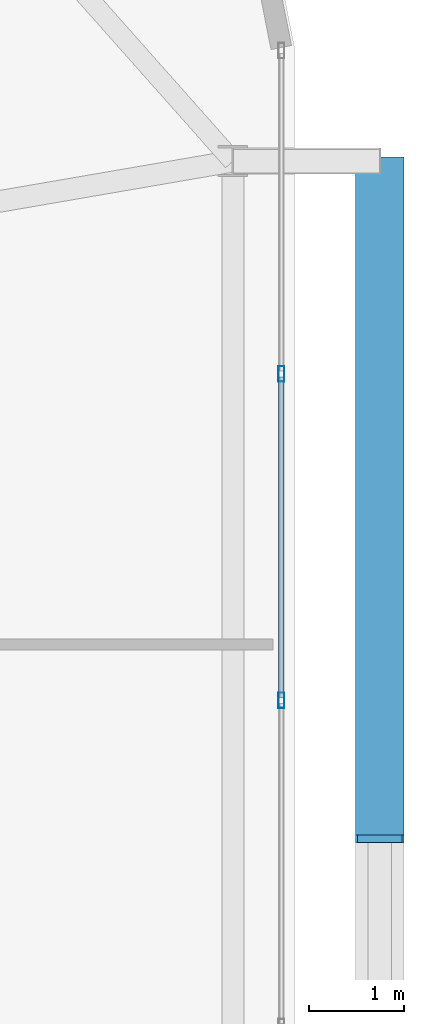
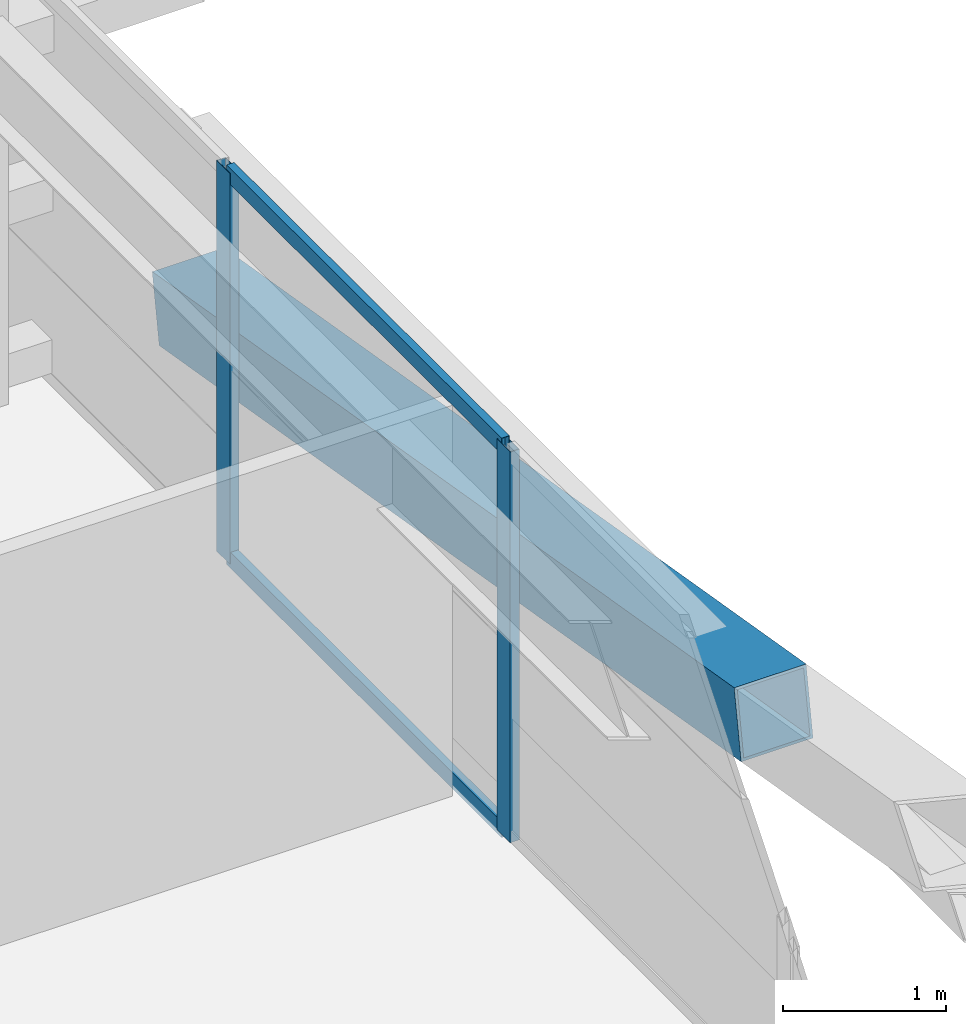
# One storey, part 32 of 59: 5 members, 1 element without a shape of its own.
"""IFC4 building model written with IfcOpenShell, lengths in metres."""

from ifc_helpers import new_model, si_unit, direction, frame, origin, origin_2d, place, context, subcontext, project, spatial, hollow_rectangle, extrude, source, transform, mapped, material, layer, layer_set, material_profile, profile_set, type_object, element, aggregate, save


model = new_model("IFC4")

# Units and contexts
model_context = context("Model", 3, precision=1e-05, world=origin(), true_north=direction((0.0, 1.0)))
body_context = subcontext(model_context, "Body", "Model", "MODEL_VIEW")
ifc_project = project(units=[si_unit("LENGTHUNIT", "METRE"), si_unit("AREAUNIT", "SQUARE_METRE"), si_unit("VOLUMEUNIT", "CUBIC_METRE"), si_unit("PLANEANGLEUNIT", "RADIAN"), si_unit("MASSUNIT", "GRAM", prefix="KILO")], contexts=[model_context])

# Site, building, storey
site_placement = place(None, origin())
site = spatial("IfcSite", under=ifc_project, at=site_placement, CompositionType="ELEMENT")
building_placement = place(site_placement, origin())
building = spatial("IfcBuilding", under=site, at=building_placement, Name="Taldren Reach Tower", CompositionType="ELEMENT")
storey_placement = place(building_placement, frame((0.0, 0.0, 29.39990234375)))
storey = spatial("IfcBuildingStorey", under=building, at=storey_placement, Name="L08", CompositionType="ELEMENT", Elevation=29.39990234375)

# Member
ifc_material_1 = material(Name="Steel Gr 450 (C450L0)", Category="steel")
ifc_material_profile_1 = material_profile(ifc_material_1, hollow_rectangle(XDim=0.510009765625, YDim=0.510009765625, WallThickness=0.02001953125, at=origin_2d()), Name="510x510x20.0SHS")
ifc_profile_set_1 = profile_set([ifc_material_profile_1], Name="Steel Gr 450 (C450L0)")
member_type_1 = type_object("IfcMemberType", Name="MB-EXO508", PredefinedType="BRACE", material=ifc_profile_set_1)
shared_shape_1 = source(origin(), body_context, "Body", "SweptSolid", [
    extrude(hollow_rectangle(XDim=0.510009765625, YDim=0.510009765625, WallThickness=0.02001953125, at=origin_2d()), origin(), (0.0, 0.0, 1.0), 7.252685546875),
])
member_1_placement = place(storey_placement, frame((65.89990234375, 34.300048828125, 0.22021484375), z_axis=(0.0, -0.985871360071, 0.167504213054), x_axis=(1.0, 0.0, 0.0)))
element("IfcMember", 1, at=member_1_placement, inside=storey, type_object=member_type_1, Name="Exoskeleton Diagrid Brace B1-E2 L08", PredefinedType="BRACE", context=body_context, shape_type="MappedRepresentation", body=[
    mapped(shared_shape_1, transform((0.0, 0.0, 0.0), scale=1.0)),
])

# Curtain wall, members
ifc_material_2 = material(Name="Aluminium and Low-E Glass Unitised System", Category="aluminium")
ifc_layer = layer(ifc_material_2, 0.159912109375)
ifc_layer_set = layer_set([ifc_layer], Name="Aluminium and Low-E Glass Unitised System")
curtain_wall_type = type_object("IfcCurtainWallType", Name="CW-SYS-2", PredefinedType="NOTDEFINED", material=ifc_layer_set)
curtain_wall_placement = place(storey_placement, origin())
curtain_wall = element("IfcCurtainWall", 2, at=curtain_wall_placement, inside=storey, type_object=curtain_wall_type, Name="Unitised curtain wall CW-L08-E", PredefinedType="NOTDEFINED")
ifc_material_3 = material(Name="Anodised Aluminium 6063-T6", Category="aluminium")
ifc_material_profile_2 = material_profile(ifc_material_3, hollow_rectangle(XDim=0.054931640625, YDim=0.1201171875, WallThickness=0.0029296875, at=origin_2d()), Name="ALU-120x55x3RHS")
ifc_profile_set_2 = profile_set([ifc_material_profile_2], Name="Anodised Aluminium 6063-T6")
member_type_2 = type_object("IfcMemberType", Name="CW-TRN-135", PredefinedType="USERDEFINED", material=ifc_profile_set_2)
shared_shape_2 = source(origin(), body_context, "Body", "SweptSolid", [
    extrude(hollow_rectangle(XDim=0.054931640625, YDim=0.1201171875, WallThickness=0.0029296875, at=origin_2d()), origin(), (0.0, 0.0, 1.0), 3.37939453125),
])
member_2_placement = place(storey_placement, frame((64.860107421875, 28.6435546875, 0.027587890625), z_axis=(0.0, 1.0, 0.0), x_axis=(-1.0, 0.0, 0.0)))
member_2 = element("IfcMember", 3, at=member_2_placement, type_object=member_type_2, Name="CW-2 transom 8.1", ObjectType="TRANSOM", PredefinedType="USERDEFINED", context=body_context, shape_type="MappedRepresentation", body=[
    mapped(shared_shape_2, transform((0.0, 0.0, 0.0), scale=1.0)),
])
member_3_placement = place(storey_placement, frame((64.860107421875, 28.6435546875, 2.902587890625), z_axis=(0.0, 1.0, 0.0), x_axis=(-1.0, 0.0, 0.0)))
member_3 = element("IfcMember", 4, at=member_3_placement, type_object=member_type_2, Name="CW-2 transom 8.2", ObjectType="TRANSOM", PredefinedType="USERDEFINED", context=body_context, shape_type="MappedRepresentation", body=[
    mapped(shared_shape_2, transform((0.0, 0.0, 0.0), scale=1.0)),
])
ifc_material_profile_3 = material_profile(ifc_material_3, hollow_rectangle(XDim=0.06494140625, YDim=0.1650390625, WallThickness=0.00390625, at=origin_2d()), Name="ALU-165x65x4RHS")
ifc_profile_set_3 = profile_set([ifc_material_profile_3], Name="Anodised Aluminium 6063-T6")
member_type_3 = type_object("IfcMemberType", Name="CW-MUL-165", PredefinedType="MULLION", material=ifc_profile_set_3)
shared_shape_3 = source(origin(), body_context, "Body", "SweptSolid", [
    extrude(hollow_rectangle(XDim=0.06494140625, YDim=0.1650390625, WallThickness=0.00390625, at=origin_2d()), origin(), (0.0, 0.0, 1.0), 2.93017578125),
])
member_4_placement = place(storey_placement, frame((64.860107421875, 28.611083984375, 0.0), z_axis=(0.0, 0.0, 1.0), x_axis=(-1.0, 0.0, 0.0)))
member_4 = element("IfcMember", 5, at=member_4_placement, type_object=member_type_3, Name="CW-2 mullion 8", PredefinedType="MULLION", context=body_context, shape_type="MappedRepresentation", body=[
    mapped(shared_shape_3, transform((0.0, 0.0, 0.0), scale=1.0)),
])
member_5_placement = place(storey_placement, frame((64.860107421875, 32.0556640625, 0.0), z_axis=(0.0, 0.0, 1.0), x_axis=(-1.0, 0.0, 0.0)))
member_5 = element("IfcMember", 6, at=member_5_placement, type_object=member_type_3, Name="CW-2 mullion 9", PredefinedType="MULLION", context=body_context, shape_type="MappedRepresentation", body=[
    mapped(shared_shape_3, transform((0.0, 0.0, 0.0), scale=1.0)),
])
aggregate(curtain_wall, [member_4, member_5, member_2, member_3])

save(model, "model.ifc")
